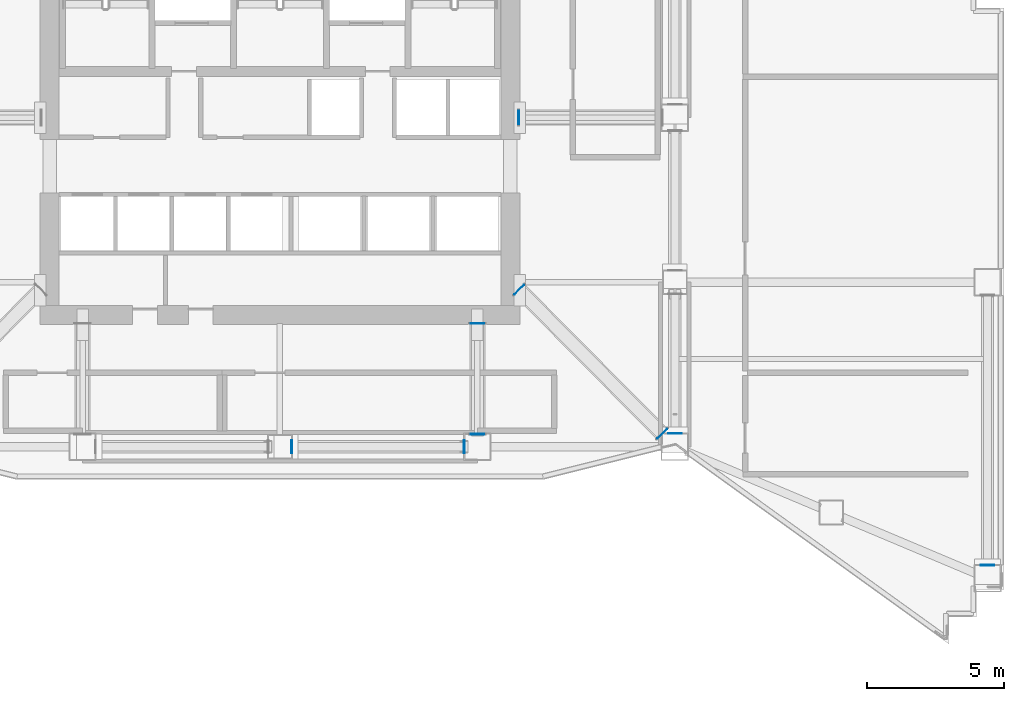
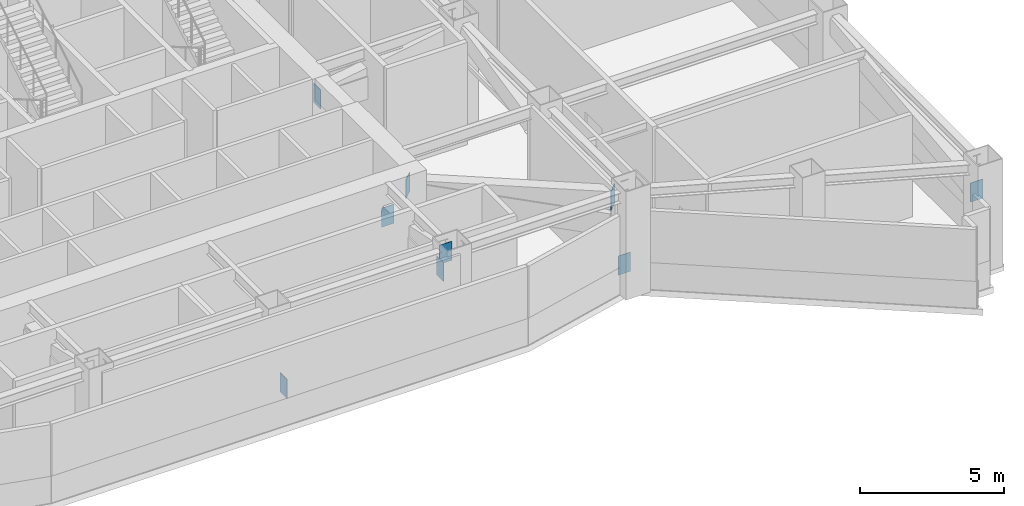
# One storey, part 10 of 24: 9 plates.
"""IFC4 building model written with IfcOpenShell, lengths in metres."""

from ifc_helpers import new_model, si_unit, direction, frame, origin, origin_2d, place, context, subcontext, project, spatial, rectangle, extrude, material, layer, layer_set, type_object, element, save


model = new_model("IFC4")

# Units and contexts
model_context = context("Model", 3, precision=1e-05, world=origin(), true_north=direction((0.0, 1.0)))
body_context = subcontext(model_context, "Body", "Model", "MODEL_VIEW")
ifc_project = project(units=[si_unit("LENGTHUNIT", "METRE"), si_unit("AREAUNIT", "SQUARE_METRE"), si_unit("VOLUMEUNIT", "CUBIC_METRE"), si_unit("PLANEANGLEUNIT", "RADIAN"), si_unit("MASSUNIT", "GRAM", prefix="KILO")], contexts=[model_context])

# Site, building, storey
site_placement = place(None, origin())
site = spatial("IfcSite", under=ifc_project, at=site_placement, CompositionType="ELEMENT")
building_placement = place(site_placement, origin())
building = spatial("IfcBuilding", under=site, at=building_placement, Name="Haolan Belvedere Tower", CompositionType="ELEMENT")
storey_placement = place(building_placement, frame((0.0, 0.0, 160.0)))
storey = spatial("IfcBuildingStorey", under=building, at=storey_placement, Name="L40", CompositionType="ELEMENT", Elevation=160.0)

# Plates
ifc_material = material(Name="Steel Q355B", Category="steel")
ifc_layer = layer(ifc_material, 0.02490234375, Name="Steel Q355B")
ifc_layer_set = layer_set([ifc_layer], Name="Steel Q355B")
plate_type = type_object("IfcPlateType", Name="PL-CAP-25", PredefinedType="SHEET", material=ifc_layer_set)
for number, where, z_axis, x_axis, name in (
    (1, (47.107666015625, 33.60009765625, 2.512939453125), (0.0, 0.0, 1.0), (0.0, -1.0, 0.0), "Hollow steel end-cap plate OR-E1-L40-DG-CAP0"),
    (2, (47.1201171875, 27.330078125, 2.513427734375), (0.0, 0.0, 1.0), (-0.71020994994, -0.703989933881, 0.0), "Hollow steel end-cap plate OR-E2-L40-DG-CAP0"),
    (3, (52.334228515625, 22.06982421875, 3.386474609375), (0.0, 0.0, 1.0), (0.71020994994, 0.703989933881, 0.0), "Hollow steel end-cap plate OR-E2-L40-DG-CAP1"),
    (4, (45.60009765625, 26.09228515625, 2.51220703125), (0.0, 0.0, 1.0), (-1.0, 0.0, 0.0), "Hollow steel end-cap plate OR-S2-L40-DG-CAP0"),
    (5, (45.60009765625, 22.057861328125, 3.3876953125), (0.0, 0.0, 1.0), (1.0, 0.0, 0.0), "Hollow steel end-cap plate OR-S2-L40-DG-CAP1"),
    (6, (52.800048828125, 22.0791015625, 0.388916015625), (0.0, 0.0, 1.0), (1.0, 0.0, 0.0), "Hollow steel end-cap plate BT-E1-L40-CAP0"),
    (7, (38.82861328125, 21.60009765625, 0.389892578125), (0.0, 0.0, 1.0), (0.0, -1.0, 0.0), "Hollow steel end-cap plate BT-S2-L40-CAP0"),
    (8, (45.121337890625, 21.60009765625, 3.14990234375), (0.0, 0.0, 1.0), (0.0, 1.0, 0.0), "Hollow steel end-cap plate BT-S2-L40-CAP1"),
    (9, (64.199951171875, 17.277587890625, 2.41357421875), (0.0, 0.0, 1.0), (1.0, 0.0, 0.0), "Hollow steel end-cap plate BT-T4-L40-CAP0"),
):
    element("IfcPlate", number, at=place(storey_placement, frame(where, z_axis=z_axis, x_axis=x_axis)), inside=storey, type_object=plate_type, Name=name, PredefinedType="SHEET", context=body_context, shape_type="SweptSolid", body=[
        extrude(rectangle(XDim=0.489990234375, YDim=0.02490234375, at=origin_2d()), origin(), (0.0, 0.0, 1.0), 0.81005859375),
    ])

save(model, "model.ifc")
